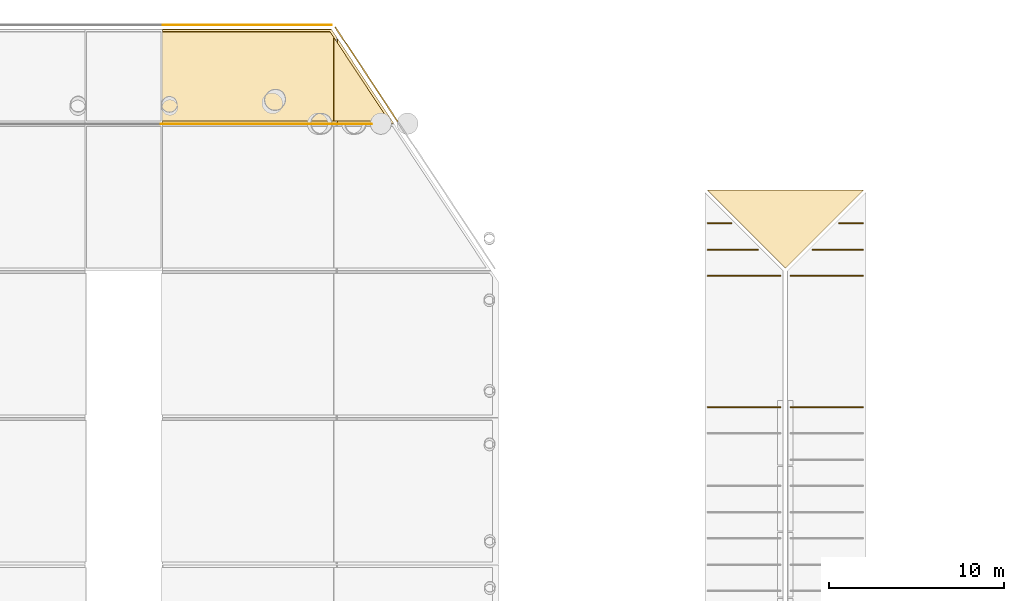
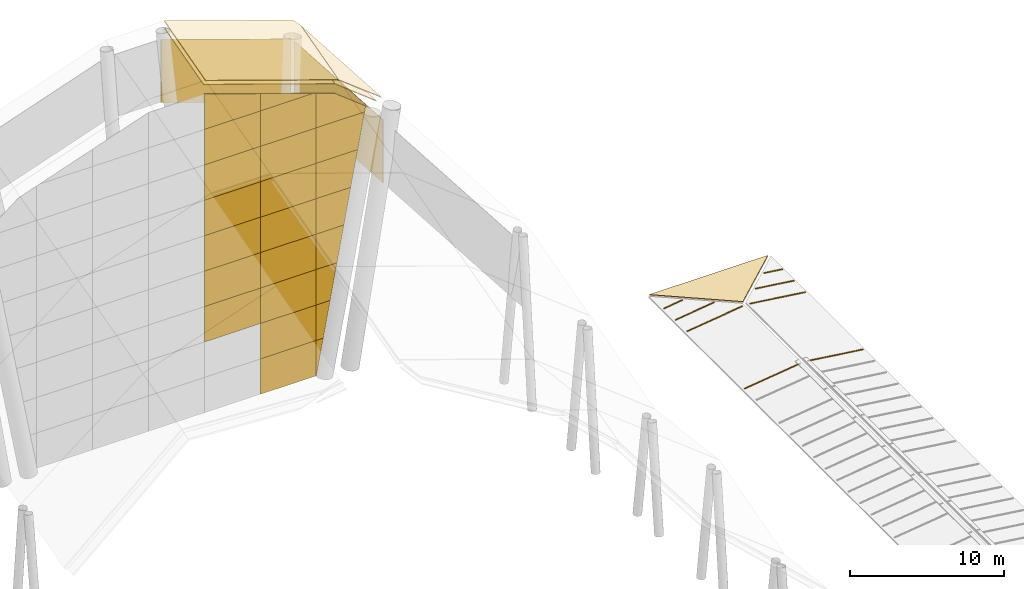
# One storey, part 8 of 8: 39 coverings.
"""IFC4 building model written with IfcOpenShell, lengths in metres."""

from ifc_helpers import new_model, si_unit, direction, frame, origin, place, context, subcontext, project, spatial, polyline, outline, extrude, material, layer, layer_set, type_object, element, save


model = new_model("IFC4")

# Units and contexts
model_context = context("Model", 3, precision=1e-05, world=origin(), true_north=direction((0.0, 1.0)))
body_context = subcontext(model_context, "Body", "Model", "MODEL_VIEW")
ifc_project = project(units=[si_unit("LENGTHUNIT", "METRE"), si_unit("AREAUNIT", "SQUARE_METRE"), si_unit("VOLUMEUNIT", "CUBIC_METRE"), si_unit("PLANEANGLEUNIT", "RADIAN"), si_unit("MASSUNIT", "GRAM", prefix="KILO")], contexts=[model_context])

# Site, building, storey
site_placement = place(None, origin())
site = spatial("IfcSite", under=ifc_project, at=site_placement, CompositionType="ELEMENT")
building_placement = place(site_placement, origin())
building = spatial("IfcBuilding", under=site, at=building_placement, Name="Sava Quay Ferry Terminal", CompositionType="ELEMENT")
storey_placement = place(building_placement, frame((0.0, 0.0, 18.0)))
storey = spatial("IfcBuildingStorey", under=building, at=storey_placement, Name="ROOF", CompositionType="ELEMENT", Elevation=18.0)

# Coverings
ifc_material_1 = material(Name="Glulam GL28h", Category="wood")
ifc_layer_1 = layer(ifc_material_1, 0.06005859375)
ifc_layer_set_1 = layer_set([ifc_layer_1], Name="Glulam GL28h")
covering_type_1 = type_object("IfcCoveringType", Name="Glulam soffit lining 60", PredefinedType="CEILING", material=ifc_layer_set_1)
covering_1_placement = place(storey_placement, frame((65.157958984375, 109.354248046875, 25.770263671875), z_axis=(0.315206481893, -0.250387200793, 0.915396702775), x_axis=(2.214502e-06, 0.964567534739, 0.263836068276)))
element("IfcCovering", 1, at=covering_1_placement, inside=storey, type_object=covering_type_1, Name="Departure hall timber soffit lining bay 8 facet 4", PredefinedType="CEILING", context=body_context, shape_type="SweptSolid", body=[
    extrude(outline(polyline([(0.0, 0.0), (5.278323316134202, 0.0), (4.403550293409538, -10.14637877956029), (4.0476852717805984, -10.37249211855374), (-0.8942897175831379, -10.372529898239241), (0.0, 0.0)])), origin(), (0.0, 0.0, -1.0), 0.06005859375),
])
covering_2_placement = place(storey_placement, frame((75.01904296875, 109.354248046875, 22.371337890625), z_axis=(0.601834910348, -0.210691483319, 0.770327099058), x_axis=(0.0, 0.964572129455, 0.263819269726)))
element("IfcCovering", 2, at=covering_2_placement, inside=storey, type_object=covering_type_1, Name="Departure hall timber soffit lining bay 8 facet 5", PredefinedType="CEILING", context=body_context, shape_type="SweptSolid", body=[
    extrude(outline(polyline([(0.0, 0.0), (4.914845154118857, -1.1102230246251565e-16), (-0.6464731470307146, -3.927365396656366), (0.0, 0.0)])), origin(), (0.0, 0.0, -1.0), 0.06005859375),
])
ifc_material_2 = material(Name="Zinc standing seam sheet")
ifc_layer_2 = layer(ifc_material_2, 0.050048828125)
ifc_layer_set_2 = layer_set([ifc_layer_2], Name="Zinc standing seam sheet")
covering_type_2 = type_object("IfcCoveringType", Name="Prow edge apron zinc 50", PredefinedType="CLADDING", material=ifc_layer_set_2)
covering_3_placement = place(storey_placement, frame((78.66357421875, 109.34619140625, 13.226318359375), z_axis=(0.834011561031, 0.551746967429, 0.0), x_axis=(-0.460660848665, 0.696327295266, 0.550381577067)))
element("IfcCovering", 3, at=covering_3_placement, inside=storey, type_object=covering_type_2, Name="Departure hall prow edge apron 4", PredefinedType="CLADDING", context=body_context, shape_type="SweptSolid", body=[
    extrude(outline(polyline([(0.0, 0.0), (7.755184266202708, -8.881784197001252e-16), (10.507092151535883, 4.174566203887667), (2.751907885333175, 4.174566203887668), (0.0, 0.0)])), origin(), (0.0, 0.0, -1.0), 0.050048828125),
])
covering_4_placement = place(storey_placement, frame((65.10009765625, 114.864990234375, 26.023193359375), z_axis=(0.0, 1.0, 0.0), x_axis=(0.945520775213, 0.0, -0.325561766247)))
element("IfcCovering", 4, at=covering_4_placement, inside=storey, type_object=covering_type_2, Name="Departure hall prow edge apron 7", PredefinedType="CLADDING", context=body_context, shape_type="SweptSolid", body=[
    extrude(outline(polyline([(0.0, 0.0), (10.332950673721827, 4.440892098500626e-16), (11.960759504954405, 4.727603876062506), (1.627808831232577, 4.727603876062506), (0.0, 0.0)])), origin(), (0.0, 0.0, -1.0), 0.050048828125),
])
ifc_material_3 = material(Name="Laminated glass", Category="glass")
ifc_layer_3 = layer(ifc_material_3, 0.0400390625)
ifc_layer_set_3 = layer_set([ifc_layer_3], Name="Laminated glass")
covering_type_3 = type_object("IfcCoveringType", Name="Prow end glazing 40", PredefinedType="CLADDING", material=ifc_layer_set_3)
covering_5_placement = place(storey_placement, frame((69.300048828125, 109.199951171875, -0.179931640625), z_axis=(0.0, 1.0, 0.0), x_axis=(0.0, 0.0, 1.0)))
element("IfcCovering", 5, at=covering_5_placement, inside=storey, type_object=covering_type_3, Name="Departure hall prow end glazing panel 21", PredefinedType="CLADDING", context=body_context, shape_type="SweptSolid", body=[
    extrude(outline(polyline([(0.0, 0.0), (2.813232421875, 0.0), (2.813232421875, 4.199951171875), (0.0, 4.199951171875), (0.0, 0.0)])), origin(), (0.0, 0.0, -1.0), 0.0400390625),
])
covering_6_placement = place(storey_placement, frame((73.5166015625, 109.199951171875, -0.179931640625), z_axis=(0.0, 1.0, 0.0), x_axis=(-1.0, 0.0, 0.0)))
element("IfcCovering", 6, at=covering_6_placement, inside=storey, type_object=covering_type_3, Name="Departure hall prow end glazing panel 22", PredefinedType="CLADDING", context=body_context, shape_type="SweptSolid", body=[
    extrude(outline(polyline([(0.0, 0.0), (0.0166015625, 0.0), (0.0166015625, 2.813232421875), (-0.51611328125, 2.813232421875), (0.0, 0.0)])), origin(), (0.0, 0.0, -1.0), 0.0400390625),
])
covering_7_placement = place(storey_placement, frame((69.300048828125, 109.199951171875, 2.63330078125), z_axis=(0.0, 1.0, 0.0), x_axis=(0.0, 0.0, 1.0)))
element("IfcCovering", 7, at=covering_7_placement, inside=storey, type_object=covering_type_3, Name="Departure hall prow end glazing panel 28", PredefinedType="CLADDING", context=body_context, shape_type="SweptSolid", body=[
    extrude(outline(polyline([(0.0, 0.0), (2.8134765625, 0.0), (2.8134765625, 4.199951171875), (0.0, 4.199951171875), (0.0, 0.0)])), origin(), (0.0, 0.0, -1.0), 0.0400390625),
])
covering_8_placement = place(storey_placement, frame((74.03271484375, 109.199951171875, 2.63330078125), z_axis=(0.0, 1.0, 0.0), x_axis=(-1.0, 0.0, 0.0)))
element("IfcCovering", 8, at=covering_8_placement, inside=storey, type_object=covering_type_3, Name="Departure hall prow end glazing panel 29", PredefinedType="CLADDING", context=body_context, shape_type="SweptSolid", body=[
    extrude(outline(polyline([(0.0, 0.0), (0.53271484375, 0.0), (0.53271484375, 2.8134765625), (-0.51611328125, 2.8134765625), (0.0, 0.0)])), origin(), (0.0, 0.0, -1.0), 0.0400390625),
])
for number, where, z_axis, x_axis, name in (
    (9, (65.10009765625, 109.199951171875, 5.44677734375), (0.0, 1.0, 0.0), (0.0, 0.0, 1.0), "Departure hall prow end glazing panel 34"),
    (10, (69.300048828125, 109.199951171875, 5.44677734375), (0.0, 1.0, 0.0), (0.0, 0.0, 1.0), "Departure hall prow end glazing panel 35"),
):
    element("IfcCovering", number, at=place(storey_placement, frame(where, z_axis=z_axis, x_axis=x_axis)), inside=storey, type_object=covering_type_3, Name=name, PredefinedType="CLADDING", context=body_context, shape_type="SweptSolid", body=[
        extrude(outline(polyline([(0.0, 0.0), (2.813232421875, 0.0), (2.813232421875, 4.199951171875), (0.0, 4.199951171875), (0.0, 0.0)])), origin(), (0.0, 0.0, -1.0), 0.0400390625),
    ])
covering_9_placement = place(storey_placement, frame((74.548828125, 109.199951171875, 5.44677734375), z_axis=(0.0, 1.0, 0.0), x_axis=(-1.0, 0.0, 0.0)))
element("IfcCovering", 11, at=covering_9_placement, inside=storey, type_object=covering_type_3, Name="Departure hall prow end glazing panel 36", PredefinedType="CLADDING", context=body_context, shape_type="SweptSolid", body=[
    extrude(outline(polyline([(0.0, 0.0), (1.048828125, 0.0), (1.048828125, 2.813232421875), (-0.51611328125, 2.813232421875), (0.0, 0.0)])), origin(), (0.0, 0.0, -1.0), 0.0400390625),
])
for number, where, z_axis, x_axis, name in (
    (12, (65.10009765625, 109.199951171875, 8.260009765625), (0.0, 1.0, 0.0), (0.0, 0.0, 1.0), "Departure hall prow end glazing panel 41"),
    (13, (69.300048828125, 109.199951171875, 8.260009765625), (0.0, 1.0, 0.0), (0.0, 0.0, 1.0), "Departure hall prow end glazing panel 42"),
):
    element("IfcCovering", number, at=place(storey_placement, frame(where, z_axis=z_axis, x_axis=x_axis)), inside=storey, type_object=covering_type_3, Name=name, PredefinedType="CLADDING", context=body_context, shape_type="SweptSolid", body=[
        extrude(outline(polyline([(0.0, 0.0), (2.8134765625, 0.0), (2.8134765625, 4.199951171875), (0.0, 4.199951171875), (0.0, 0.0)])), origin(), (0.0, 0.0, -1.0), 0.0400390625),
    ])
covering_10_placement = place(storey_placement, frame((75.06494140625, 109.199951171875, 8.260009765625), z_axis=(0.0, 1.0, 0.0), x_axis=(-1.0, 0.0, 0.0)))
element("IfcCovering", 14, at=covering_10_placement, inside=storey, type_object=covering_type_3, Name="Departure hall prow end glazing panel 43", PredefinedType="CLADDING", context=body_context, shape_type="SweptSolid", body=[
    extrude(outline(polyline([(0.0, 0.0), (1.56494140625, 0.0), (1.56494140625, 2.8134765625), (-0.515869140625, 2.8134765625), (0.0, 0.0)])), origin(), (0.0, 0.0, -1.0), 0.0400390625),
])
for number, where, z_axis, x_axis, name in (
    (15, (65.10009765625, 109.199951171875, 11.073486328125), (0.0, 1.0, 0.0), (0.0, 0.0, 1.0), "Departure hall prow end glazing panel 48"),
    (16, (69.300048828125, 109.199951171875, 11.073486328125), (0.0, 1.0, 0.0), (0.0, 0.0, 1.0), "Departure hall prow end glazing panel 49"),
):
    element("IfcCovering", number, at=place(storey_placement, frame(where, z_axis=z_axis, x_axis=x_axis)), inside=storey, type_object=covering_type_3, Name=name, PredefinedType="CLADDING", context=body_context, shape_type="SweptSolid", body=[
        extrude(outline(polyline([(0.0, 0.0), (2.813232421875, 0.0), (2.813232421875, 4.199951171875), (0.0, 4.199951171875), (0.0, 0.0)])), origin(), (0.0, 0.0, -1.0), 0.0400390625),
    ])
covering_11_placement = place(storey_placement, frame((75.580810546875, 109.199951171875, 11.073486328125), z_axis=(0.0, 1.0, 0.0), x_axis=(-1.0, 0.0, 0.0)))
element("IfcCovering", 17, at=covering_11_placement, inside=storey, type_object=covering_type_3, Name="Departure hall prow end glazing panel 50", PredefinedType="CLADDING", context=body_context, shape_type="SweptSolid", body=[
    extrude(outline(polyline([(0.0, 0.0), (2.080810546875, 0.0), (2.080810546875, 2.813232421875), (-0.51611328125, 2.813232421875), (0.0, 0.0)])), origin(), (0.0, 0.0, -1.0), 0.0400390625),
])
for number, where, z_axis, x_axis, name in (
    (18, (65.10009765625, 109.199951171875, 13.88671875), (0.0, 1.0, 0.0), (0.0, 0.0, 1.0), "Departure hall prow end glazing panel 55"),
    (19, (69.300048828125, 109.199951171875, 13.88671875), (0.0, 1.0, 0.0), (0.0, 0.0, 1.0), "Departure hall prow end glazing panel 56"),
):
    element("IfcCovering", number, at=place(storey_placement, frame(where, z_axis=z_axis, x_axis=x_axis)), inside=storey, type_object=covering_type_3, Name=name, PredefinedType="CLADDING", context=body_context, shape_type="SweptSolid", body=[
        extrude(outline(polyline([(0.0, 0.0), (2.8134765625, 0.0), (2.8134765625, 4.199951171875), (0.0, 4.199951171875), (0.0, 0.0)])), origin(), (0.0, 0.0, -1.0), 0.0400390625),
    ])
covering_12_placement = place(storey_placement, frame((76.096923828125, 109.199951171875, 13.88671875), z_axis=(0.0, 1.0, 0.0), x_axis=(-1.0, 0.0, 0.0)))
element("IfcCovering", 20, at=covering_12_placement, inside=storey, type_object=covering_type_3, Name="Departure hall prow end glazing panel 57", PredefinedType="CLADDING", context=body_context, shape_type="SweptSolid", body=[
    extrude(outline(polyline([(0.0, 0.0), (2.596923828125, 0.0), (2.596923828125, 2.8134765625), (-0.51611328125, 2.8134765625), (0.0, 0.0)])), origin(), (0.0, 0.0, -1.0), 0.0400390625),
])
for number, where, z_axis, x_axis, name in (
    (21, (65.10009765625, 109.199951171875, 16.7001953125), (0.0, 1.0, 0.0), (0.0, 0.0, 1.0), "Departure hall prow end glazing panel 62"),
    (22, (69.300048828125, 109.199951171875, 16.7001953125), (0.0, 1.0, 0.0), (0.0, 0.0, 1.0), "Departure hall prow end glazing panel 63"),
):
    element("IfcCovering", number, at=place(storey_placement, frame(where, z_axis=z_axis, x_axis=x_axis)), inside=storey, type_object=covering_type_3, Name=name, PredefinedType="CLADDING", context=body_context, shape_type="SweptSolid", body=[
        extrude(outline(polyline([(0.0, 0.0), (2.813232421875, 0.0), (2.813232421875, 4.199951171875), (0.0, 4.199951171875), (0.0, 0.0)])), origin(), (0.0, 0.0, -1.0), 0.0400390625),
    ])
covering_13_placement = place(storey_placement, frame((76.613037109375, 109.199951171875, 16.7001953125), z_axis=(0.0, 1.0, 0.0), x_axis=(-1.0, 0.0, 0.0)))
element("IfcCovering", 23, at=covering_13_placement, inside=storey, type_object=covering_type_3, Name="Departure hall prow end glazing panel 64", PredefinedType="CLADDING", context=body_context, shape_type="SweptSolid", body=[
    extrude(outline(polyline([(0.0, 0.0), (3.113037109375, 0.0), (3.113037109375, 2.813232421875), (-0.51611328125, 2.813232421875), (0.0, 0.0)])), origin(), (0.0, 0.0, -1.0), 0.0400390625),
])
covering_14_placement = place(storey_placement, frame((65.10009765625, 109.199951171875, 19.513427734375), z_axis=(0.0, 1.0, 0.0), x_axis=(0.0, 0.0, 1.0)))
element("IfcCovering", 24, at=covering_14_placement, inside=storey, type_object=covering_type_3, Name="Departure hall prow end glazing panel 69", PredefinedType="CLADDING", context=body_context, shape_type="SweptSolid", body=[
    extrude(outline(polyline([(0.0, 0.0), (2.8134765625, 0.0), (2.8134765625, 4.199951171875), (0.0, 4.199951171875), (0.0, 0.0)])), origin(), (0.0, 0.0, -1.0), 0.0400390625),
])
covering_15_placement = place(storey_placement, frame((73.5, 109.199951171875, 22.247802734375), z_axis=(0.0, 1.0, 0.0), x_axis=(0.0, 0.0, -1.0)))
element("IfcCovering", 25, at=covering_15_placement, inside=storey, type_object=covering_type_3, Name="Departure hall prow end glazing panel 70", PredefinedType="CLADDING", context=body_context, shape_type="SweptSolid", body=[
    extrude(outline(polyline([(0.0, 0.0), (2.734375, 0.0), (2.734375, 4.199951171875), (-0.0791015625, 4.199951171875), (-0.0791015625, 0.2294921875), (0.0, 0.0)])), origin(), (0.0, 0.0, -1.0), 0.0400390625),
])
covering_16_placement = place(storey_placement, frame((74.8701171875, 109.199951171875, 21.776123046875), z_axis=(0.0, 1.0, 0.0), x_axis=(0.787999432314, 0.0, -0.615675965644)))
element("IfcCovering", 26, at=covering_16_placement, inside=storey, type_object=covering_type_3, Name="Departure hall prow end glazing panel 71", PredefinedType="CLADDING", context=body_context, shape_type="SweptSolid", body=[
    extrude(outline(polyline([(0.0, 0.0), (2.9681077061573244, 2.220446049250313e-16), (3.173204003124403, 0.392170172993729), (0.3134355555282806, 2.6265508442105325), (-1.3700534130306294, 0.47186489647581514), (0.0, 0.0)])), origin(), (0.0, 0.0, -1.0), 0.0400390625),
])
covering_17_placement = place(storey_placement, frame((65.10009765625, 109.199951171875, 25.14013671875), z_axis=(0.0, 1.0, 0.0), x_axis=(0.945526492376, 0.0, -0.325545161561)))
element("IfcCovering", 27, at=covering_17_placement, inside=storey, type_object=covering_type_3, Name="Departure hall prow end glazing panel 75", PredefinedType="CLADDING", context=body_context, shape_type="SweptSolid", body=[
    extrude(outline(polyline([(0.0, 0.0), (4.4419180274082795, 0.0), (4.886999302980469, 1.2927120012946751), (0.9158342032889872, 2.6599857840925965), (0.0, 0.0), (0.0, 0.0)])), origin(), (0.0, 0.0, -1.0), 0.0400390625),
])
covering_18_placement = place(storey_placement, frame((73.2705078125, 109.199951171875, 22.326904296875), z_axis=(0.0, 1.0, 0.0), x_axis=(-1.0, 0.0, 0.0)))
element("IfcCovering", 28, at=covering_18_placement, inside=storey, type_object=covering_type_3, Name="Departure hall prow end glazing panel 76", PredefinedType="CLADDING", context=body_context, shape_type="SweptSolid", body=[
    extrude(outline(polyline([(0.0, 0.0), (3.970458984375, 0.0), (3.970458984375, 1.3671875), (0.0, 0.0)])), origin(), (0.0, 0.0, -1.0), 0.0400390625),
])
ifc_material_4 = material(Name="Zinc standing seam")
ifc_layer_4 = layer(ifc_material_4, 0.0400390625)
ifc_layer_set_4 = layer_set([ifc_layer_4], Name="Zinc standing seam")
covering_type_4 = type_object("IfcCoveringType", Name="Roof seam rib 60", PredefinedType="ROOFING", material=ifc_layer_set_4)
covering_19_placement = place(storey_placement, frame((105.25439453125, 103.469970703125, 0.61669921875), z_axis=(0.129864037305, 0.0, 0.991531810793), x_axis=(-0.991531810793, 0.0, 0.129864037305)))
element("IfcCovering", 29, at=covering_19_placement, inside=storey, type_object=covering_type_4, Name="Roof seam rib", PredefinedType="ROOFING", context=body_context, shape_type="SweptSolid", body=[
    extrude(outline(polyline([(0.0, 0.0), (1.4118582263438169, 0.0), (1.4118582263438169, -0.06005859375), (0.0, -0.06005859375), (0.0, 0.0)])), origin(), (0.0, 0.0, -1.0), 0.0400390625),
])
covering_20_placement = place(storey_placement, frame((105.25439453125, 101.969970703125, 0.61669921875), z_axis=(0.129888740755, 0.0, 0.991528574992), x_axis=(-0.991528574992, 0.0, 0.129888740755)))
element("IfcCovering", 30, at=covering_20_placement, inside=storey, type_object=covering_type_4, Name="Roof seam rib", PredefinedType="ROOFING", context=body_context, shape_type="SweptSolid", body=[
    extrude(outline(polyline([(0.0, 0.0), (2.9246785386636347, 0.0), (2.9246785386636347, -0.06005859375), (0.0, -0.06005859375), (0.0, 0.0)])), origin(), (0.0, 0.0, -1.0), 0.0400390625),
])
for number, where, z_axis, x_axis, name in (
    (31, (105.25439453125, 100.469970703125, 0.61669921875), (0.129866150834, 0.0, 0.991531533975), (-0.991531533975, 0.0, 0.129866150834), "Roof seam rib"),
    (32, (105.25439453125, 92.969970703125, 0.61669921875), (0.129866150834, 0.0, 0.991531533975), (-0.991531533975, 0.0, 0.129866150834), "Roof seam rib"),
):
    element("IfcCovering", number, at=place(storey_placement, frame(where, z_axis=z_axis, x_axis=x_axis)), inside=storey, type_object=covering_type_4, Name=name, PredefinedType="ROOFING", context=body_context, shape_type="SweptSolid", body=[
        extrude(outline(polyline([(0.0, 0.0), (4.218586282732325, 0.0), (4.218586282732325, -0.06005859375), (0.0, -0.06005859375), (0.0, 0.0)])), origin(), (0.0, 0.0, -1.0), 0.0400390625),
    ])
for number, where, z_axis, x_axis, name in (
    (33, (96.345703125, 93.030029296875, 0.61669921875), (-0.129873603306, 0.0, 0.991530557857), (0.991530557857, 0.0, 0.129873603306), "Roof seam rib"),
    (34, (96.345703125, 100.530029296875, 0.61669921875), (-0.129873603306, 0.0, 0.991530557857), (0.991530557857, 0.0, 0.129873603306), "Roof seam rib"),
):
    element("IfcCovering", number, at=place(storey_placement, frame(where, z_axis=z_axis, x_axis=x_axis)), inside=storey, type_object=covering_type_4, Name=name, PredefinedType="ROOFING", context=body_context, shape_type="SweptSolid", body=[
        extrude(outline(polyline([(0.0, 0.0), (4.218344209723065, 0.0), (4.218344209723065, -0.060058593750000014), (0.0, -0.060058593750000014), (0.0, 0.0)])), origin(), (0.0, 0.0, -1.0), 0.0400390625),
    ])
covering_21_placement = place(storey_placement, frame((96.345703125, 102.030029296875, 0.61669921875), z_axis=(-0.129899492385, 0.0, 0.991527166485), x_axis=(0.991527166485, 0.0, 0.129899492385)))
element("IfcCovering", 35, at=covering_21_placement, inside=storey, type_object=covering_type_4, Name="Roof seam rib", PredefinedType="ROOFING", context=body_context, shape_type="SweptSolid", body=[
    extrude(outline(polyline([(0.0, 0.0), (2.9244364664295603, 0.0), (2.9244364664295603, -0.06005859374999999), (0.0, -0.06005859374999999), (0.0, 0.0)])), origin(), (0.0, 0.0, -1.0), 0.0400390625),
])
covering_22_placement = place(storey_placement, frame((96.345703125, 103.530029296875, 0.61669921875), z_axis=(-0.129886307209, 0.0, 0.99152889378), x_axis=(0.99152889378, 0.0, 0.129886307209)))
element("IfcCovering", 36, at=covering_22_placement, inside=storey, type_object=covering_type_4, Name="Roof seam rib", PredefinedType="ROOFING", context=body_context, shape_type="SweptSolid", body=[
    extrude(outline(polyline([(0.0, 0.0), (1.4116161535038725, 0.0), (1.4116161535038725, -0.06005859375), (0.0, -0.06005859375), (0.0, 0.0)])), origin(), (0.0, 0.0, -1.0), 0.0400390625),
])
ifc_material_5 = material(Name="Zinc standing seam sheet")
ifc_layer_5 = layer(ifc_material_5, 0.0400390625)
ifc_layer_set_5 = layer_set([ifc_layer_5], Name="Zinc standing seam sheet")
covering_type_5 = type_object("IfcCoveringType", Name="Standing seam roofing 40", PredefinedType="ROOFING", material=ifc_layer_set_5)
covering_23_placement = place(storey_placement, frame((65.224365234375, 109.2099609375, 26.15576171875), z_axis=(0.315195697439, -0.250368413613, 0.915405554812), x_axis=(3.027635e-06, 0.964573292939, 0.26381501576)))
element("IfcCovering", 37, at=covering_23_placement, inside=storey, type_object=covering_type_5, Name="Departure hall roofing bay 8 facet 4", PredefinedType="ROOFING", context=body_context, shape_type="SweptSolid", body=[
    extrude(outline(polyline([(0.0, 0.0), (5.577713563592067, 0.0), (4.70205208848617, -10.158156877907157), (4.154454754050051, -10.50597719242615), (-0.9056745864294078, -10.505999193827972), (0.0, 0.0)])), origin(), (0.0, 0.0, -1.0), 0.0400390625),
])
covering_24_placement = place(storey_placement, frame((75.212158203125, 109.2099609375, 22.713134765625), z_axis=(0.601818153557, -0.210704591182, 0.770336605195), x_axis=(0.0, 0.964568781206, 0.263831511239)))
element("IfcCovering", 38, at=covering_24_placement, inside=storey, type_object=covering_type_5, Name="Departure hall roofing bay 8 facet 5", PredefinedType="ROOFING", context=body_context, shape_type="SweptSolid", body=[
    extrude(outline(polyline([(0.0, 0.0), (5.033063916970566, 1.1102230246251565e-16), (-0.6620264337184362, -4.0217640077210355), (0.0, 0.0)])), origin(), (0.0, 0.0, -1.0), 0.0400390625),
])
covering_25_placement = place(storey_placement, frame((105.26171875, 105.404296875, 0.556884765625), z_axis=(0.0, 0.129828558837, 0.991536456874), x_axis=(-0.704075964758, -0.704114491487, 0.092194461487)))
element("IfcCovering", 39, at=covering_25_placement, inside=storey, type_object=covering_type_5, Name="Mansard roofing O-U2", PredefinedType="ROOFING", context=body_context, shape_type="SweptSolid", body=[
    extrude(outline(polyline([(0.0, 0.0), (6.336915539232688, 5.065392549852277e-16), (6.282881002897561, -6.336857062426368), (0.0, 0.0)])), origin(), (0.0, 0.0, -1.0), 0.0400390625),
])

save(model, "model.ifc")
